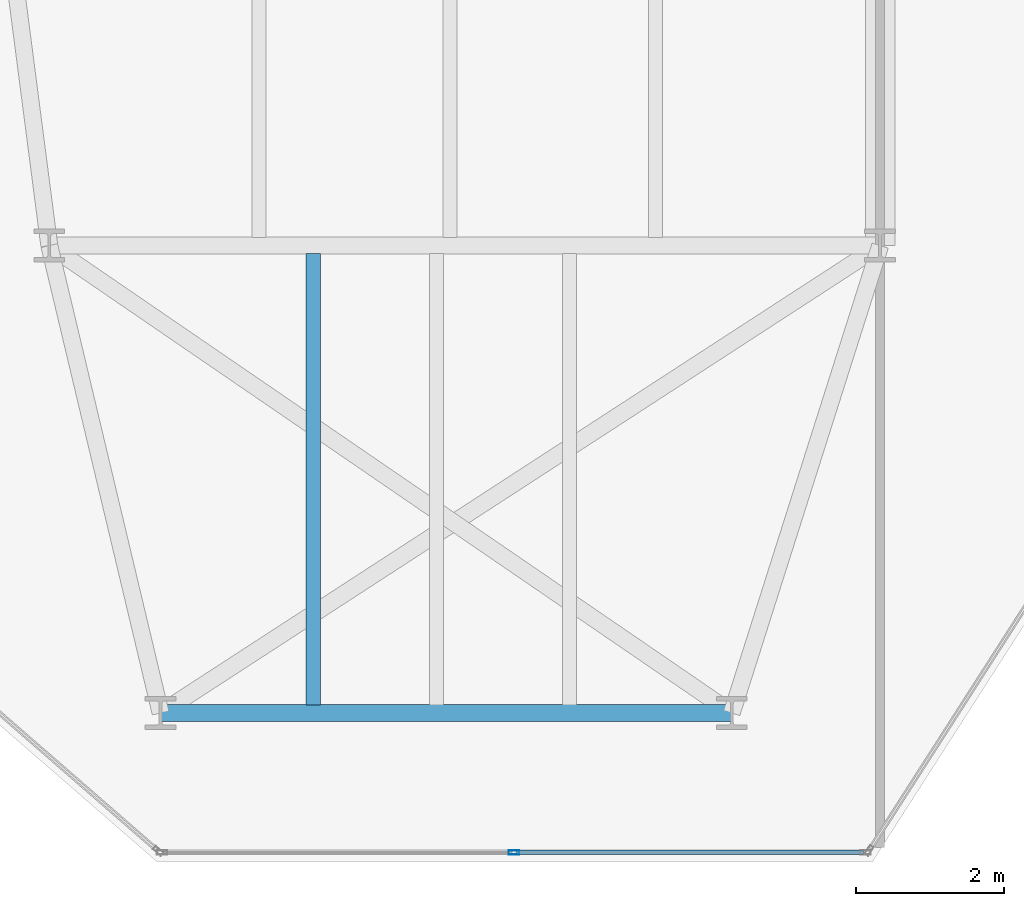
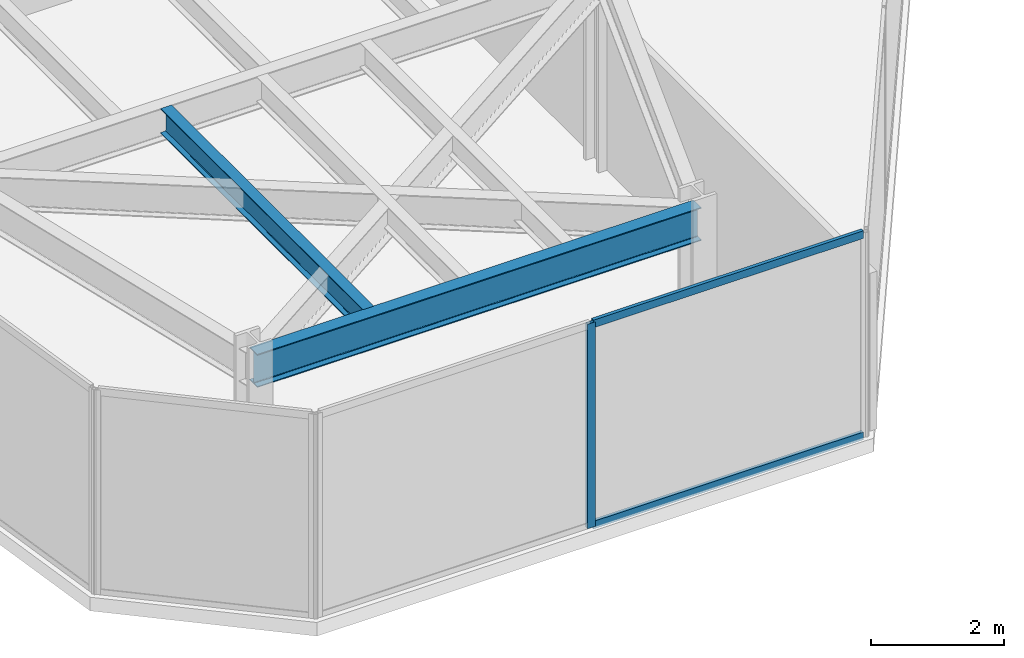
# One storey, part 3 of 26: 3 members, 2 beams, 1 element without a shape of its own.
"""IFC4 building model written with IfcOpenShell, lengths in metres."""

from ifc_helpers import new_model, si_unit, direction, frame, origin, origin_2d, place, context, subcontext, project, spatial, hollow_rectangle, i_section, extrude, material, layer, layer_set, material_profile, profile_set, type_object, element, aggregate, save


model = new_model("IFC4")

# Units and contexts
model_context = context("Model", 3, precision=1e-05, world=origin(), true_north=direction((0.0, 1.0)))
body_context = subcontext(model_context, "Body", "Model", "MODEL_VIEW")
ifc_project = project(units=[si_unit("LENGTHUNIT", "METRE"), si_unit("AREAUNIT", "SQUARE_METRE"), si_unit("VOLUMEUNIT", "CUBIC_METRE"), si_unit("PLANEANGLEUNIT", "RADIAN"), si_unit("MASSUNIT", "GRAM", prefix="KILO")], contexts=[model_context])

# Site, building, storey
site_placement = place(None, origin())
site = spatial("IfcSite", under=ifc_project, at=site_placement, CompositionType="ELEMENT")
building_placement = place(site_placement, origin())
building = spatial("IfcBuilding", under=site, at=building_placement, Name="Kravanh Interchange Tower", CompositionType="ELEMENT")
storey_placement = place(building_placement, frame((0.0, 0.0, 144.0)))
storey = spatial("IfcBuildingStorey", under=building, at=storey_placement, Name="L34", CompositionType="ELEMENT", Elevation=144.0)

# Curtain wall, members
ifc_material_1 = material(Name="Anodised Bronze Aluminium", Category="aluminium")
ifc_layer = layer(ifc_material_1, 0.179931640625)
ifc_layer_set = layer_set([ifc_layer], Name="Unitised Curtain Wall System CW-Z2 Mid Office")
curtain_wall_type = type_object("IfcCurtainWallType", Name="Unitised Curtain Wall System CW-Z2 Mid Office", PredefinedType="NOTDEFINED", material=ifc_layer_set)
curtain_wall_placement = place(storey_placement, origin())
curtain_wall = element("IfcCurtainWall", 1, at=curtain_wall_placement, inside=storey, type_object=curtain_wall_type, Name="L34 Unitised Curtain Wall CW-L34-06", PredefinedType="NOTDEFINED")
ifc_material_2 = material(Name="Anodised Bronze Aluminium", Category="aluminium")
ifc_material_profile_1 = material_profile(ifc_material_2, hollow_rectangle(XDim=0.06005859375, YDim=0.139892578125, WallThickness=0.00390625, at=origin_2d()), Name="ALU60X140X4")
ifc_profile_set_1 = profile_set([ifc_material_profile_1], Name="Anodised Bronze Aluminium")
member_type_1 = type_object("IfcMemberType", Name="Curtain Wall Mullion ALU60X140X4 Bronze", PredefinedType="MULLION", material=ifc_profile_set_1)
member_1_placement = place(storey_placement, frame((22.26220703125, 6.320068359375, 0.0), z_axis=(0.0, 0.0, 1.0), x_axis=(0.0, -1.0, 0.0)))
member_1 = element("IfcMember", 2, at=member_1_placement, type_object=member_type_1, Name="CW-Z2 mullion 2", PredefinedType="MULLION", context=body_context, shape_type="SweptSolid", body=[
    extrude(hollow_rectangle(XDim=0.06005859375, YDim=0.139892578125, WallThickness=0.00390625, at=origin_2d()), origin(), (0.0, 0.0, 1.0), 3.75),
])
ifc_material_3 = material(Name="Anodised Bronze Aluminium", Category="aluminium")
ifc_material_profile_2 = material_profile(ifc_material_3, hollow_rectangle(XDim=0.06005859375, YDim=0.139892578125, WallThickness=0.00390625, at=origin_2d()), Name="ALU60X140X4")
ifc_profile_set_2 = profile_set([ifc_material_profile_2], Name="Anodised Bronze Aluminium")
member_type_2 = type_object("IfcMemberType", Name="Curtain Wall Transom ALU60X140X4 Bronze", PredefinedType="USERDEFINED", material=ifc_profile_set_2)
member_2_placement = place(storey_placement, frame((26.974365234375, 6.320068359375, 0.030029296875), z_axis=(-1.0, 0.0, 0.0), x_axis=(0.0, -1.0, 0.0)))
member_2 = element("IfcMember", 3, at=member_2_placement, type_object=member_type_2, Name="CW-Z2 transom 1.1", ObjectType="TRANSOM", PredefinedType="USERDEFINED", context=body_context, shape_type="SweptSolid", body=[
    extrude(hollow_rectangle(XDim=0.06005859375, YDim=0.139892578125, WallThickness=0.00390625, at=origin_2d()), origin(), (0.0, 0.0, 1.0), 4.682373046875),
])
member_3_placement = place(storey_placement, frame((26.974365234375, 6.320068359375, 3.719970703125), z_axis=(-1.0, 0.0, 0.0), x_axis=(0.0, -1.0, 0.0)))
member_3 = element("IfcMember", 4, at=member_3_placement, type_object=member_type_2, Name="CW-Z2 transom 1.2", ObjectType="TRANSOM", PredefinedType="USERDEFINED", context=body_context, shape_type="SweptSolid", body=[
    extrude(hollow_rectangle(XDim=0.06005859375, YDim=0.139892578125, WallThickness=0.00390625, at=origin_2d()), origin(), (0.0, 0.0, 1.0), 4.682373046875),
])
aggregate(curtain_wall, [member_1, member_2, member_3])

# Beams
ifc_material_4 = material(Name="Structural Steel S355", Category="steel")
ifc_material_profile_3 = material_profile(ifc_material_4, i_section(OverallWidth=0.18994140625, OverallDepth=0.45703125, WebThickness=0.009033203125, FlangeThickness=0.014404296875, FilletRadius=0.01806640625, at=origin_2d()), Name="W18X50")
ifc_profile_set_3 = profile_set([ifc_material_profile_3], Name="Structural Steel S355")
beam_type_1 = type_object("IfcBeamType", Name="Floor Joist W18X50 Structural Steel S355", PredefinedType="JOIST", material=ifc_profile_set_3)
beam_1_placement = place(storey_placement, frame((19.55810546875, 8.30908203125, 3.521484375), z_axis=(0.0, 1.0, 0.0), x_axis=(-1.0, 0.0, 0.0)))
element("IfcBeam", 5, at=beam_1_placement, inside=storey, type_object=beam_type_1, Name="L34 Secondary Floor Joist 1", PredefinedType="JOIST", context=body_context, shape_type="SweptSolid", body=[
    extrude(i_section(OverallWidth=0.18994140625, OverallDepth=0.45703125, WebThickness=0.009033203125, FlangeThickness=0.014404296875, FilletRadius=0.01806640625, at=origin_2d()), origin(), (0.0, 0.0, 1.0), 6.08203125),
])
ifc_material_5 = material(Name="Structural Steel S355", Category="steel")
ifc_material_profile_4 = material_profile(ifc_material_5, i_section(OverallWidth=0.22802734375, OverallDepth=0.60791015625, WebThickness=0.01123046875, FlangeThickness=0.017333984375, FilletRadius=0.02197265625, at=origin_2d()), Name="W24X76")
ifc_profile_set_4 = profile_set([ifc_material_profile_4], Name="Structural Steel S355")
beam_type_2 = type_object("IfcBeamType", Name="Floor Spandrel W24X76 Structural Steel S355", PredefinedType="SPANDREL", material=ifc_profile_set_4)
beam_2_placement = place(storey_placement, frame((17.5, 8.199951171875, 3.446044921875), z_axis=(1.0, 0.0, 0.0), x_axis=(0.0, 1.0, 0.0)))
element("IfcBeam", 6, at=beam_2_placement, inside=storey, type_object=beam_type_2, Name="L34 Perimeter Spandrel 35", PredefinedType="SPANDREL", context=body_context, shape_type="SweptSolid", body=[
    extrude(i_section(OverallWidth=0.22802734375, OverallDepth=0.60791015625, WebThickness=0.01123046875, FlangeThickness=0.017333984375, FilletRadius=0.02197265625, at=origin_2d()), origin(), (0.0, 0.0, 1.0), 7.699951171875),
])

save(model, "model.ifc")
